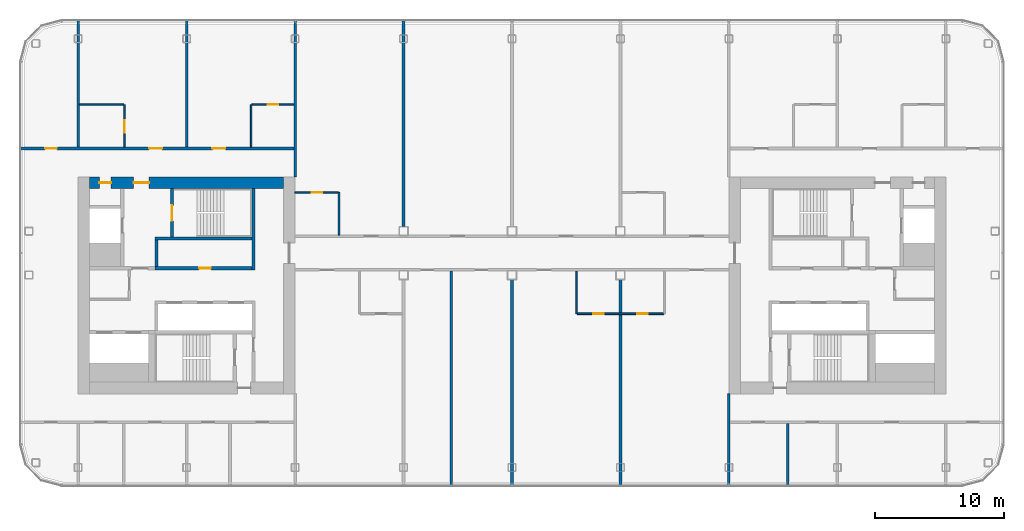
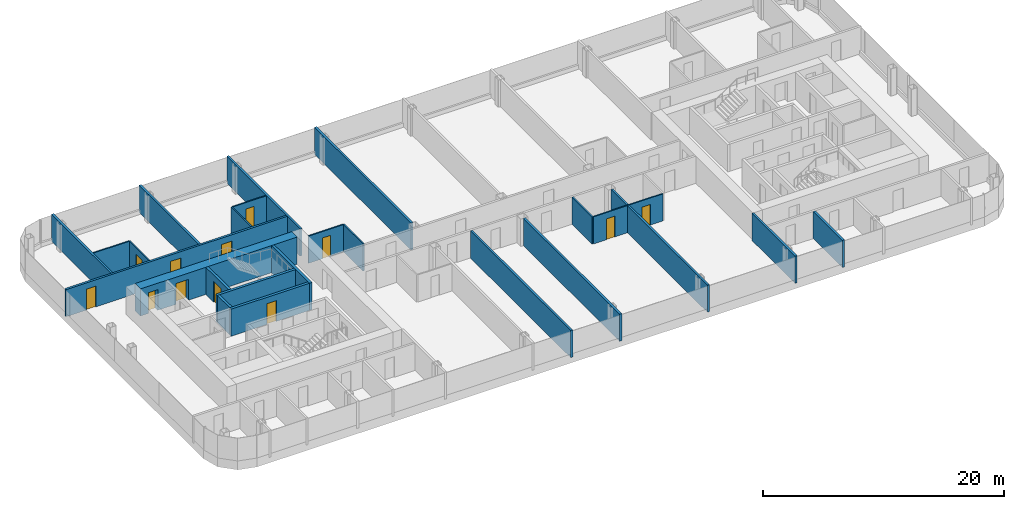
# One storey, part 14 of 25: 24 walls, 12 doors, 12 openings.
"""IFC4 building model written with IfcOpenShell, lengths in metres."""

from ifc_helpers import new_model, si_unit, direction, frame, frame_2d, origin, place, context, subcontext, project, spatial, rectangle, extrude, material, layer, layer_set, type_object, element, fill, save


model = new_model("IFC4")

# Units and contexts
model_context = context("Model", 3, precision=1e-05, world=origin(), true_north=direction((0.0, 1.0)))
body_context = subcontext(model_context, "Body", "Model", "MODEL_VIEW")
ifc_project = project(units=[si_unit("LENGTHUNIT", "METRE"), si_unit("AREAUNIT", "SQUARE_METRE"), si_unit("VOLUMEUNIT", "CUBIC_METRE"), si_unit("PLANEANGLEUNIT", "RADIAN"), si_unit("MASSUNIT", "GRAM", prefix="KILO")], contexts=[model_context])

# Site, building, storey
site_placement = place(None, origin())
site = spatial("IfcSite", under=ifc_project, at=site_placement, CompositionType="ELEMENT")
building_placement = place(site_placement, origin())
building = spatial("IfcBuilding", under=site, at=building_placement, Name="Hakoniwa Tower and Hamabe Station Hall", CompositionType="ELEMENT")
storey_placement = place(building_placement, frame((0.0, 0.0, 202.60009765625)))
storey = spatial("IfcBuildingStorey", under=building, at=storey_placement, Name="L57", CompositionType="ELEMENT", Elevation=202.60009765625)

# Wall, openings, doors
ifc_material_1 = material(Name="Gypsum board partition", Category="gypsum")
ifc_layer_1 = layer(ifc_material_1, 0.125)
ifc_layer_set_1 = layer_set([ifc_layer_1], Name="Bathroom Partition 125")
wall_type_1 = type_object("IfcWallType", Name="Bathroom Partition 125", PredefinedType="PARTITIONING", material=ifc_layer_set_1)
wall_1_placement = place(storey_placement, frame((5.0625, -2.199951171875, 0.0), z_axis=(0.0, 0.0, 1.0), x_axis=(1.0, 0.0, 0.0)))
wall_1 = element("IfcWall", 1, at=wall_1_placement, inside=storey, type_object=wall_type_1, Name="GW-L57-004", PredefinedType="PARTITIONING", context=body_context, shape_type="SweptSolid", body=[
    extrude(rectangle(XDim=6.675048828125, YDim=0.125, at=frame_2d((3.33740234375, 0.0))), origin(), (0.0, 0.0, 1.0), 2.75),
])
opening_1_placement = place(wall_1_placement, frame((1.237548828125, 0.0, 0.0)))
opening_1 = element("IfcOpeningElement", 2, at=opening_1_placement, cuts=wall_1, Name="Opening GD-G4A1-11", PredefinedType="OPENING", context=body_context, shape_type="SweptSolid", body=[
    extrude(rectangle(XDim=0.800048828125, YDim=2.10009765625, at=frame_2d((0.39990234375, 1.050048828125))), frame((0.0, 0.072509765625, 0.0), z_axis=(0.0, -1.0, 0.0), x_axis=(1.0, 0.0, 0.0)), (0.0, 0.0, 1.0), 0.14501953125),
])
opening_2_placement = place(wall_1_placement, frame((4.637451171875, 0.0, 0.0)))
opening_2 = element("IfcOpeningElement", 3, at=opening_2_placement, cuts=wall_1, Name="Opening GD-G4A1-12", PredefinedType="OPENING", context=body_context, shape_type="SweptSolid", body=[
    extrude(rectangle(XDim=0.800048828125, YDim=2.10009765625, at=frame_2d((0.39990234375, 1.050048828125))), frame((0.0, 0.072509765625, 0.0), z_axis=(0.0, -1.0, 0.0), x_axis=(1.0, 0.0, 0.0)), (0.0, 0.0, 1.0), 0.14501953125),
])
ifc_material_2 = material(Name="Timber door leaf", Category="wood")
door_type_1 = type_object("IfcDoorType", Name="Bathroom Door 800", OperationType="SINGLE_SWING_LEFT", PredefinedType="DOOR", material=ifc_material_2)
door_1_placement = place(opening_1_placement, origin())
door_1 = element("IfcDoor", 4, at=door_1_placement, inside=storey, type_object=door_type_1, Name="Door GD-G4A1-11", OperationType="SINGLE_SWING_LEFT", OverallHeight=2.10009765625, OverallWidth=0.800048828125, PredefinedType="DOOR", context=body_context, shape_type="SweptSolid", body=[
    extrude(rectangle(XDim=0.800048828125, YDim=2.10009765625, at=frame_2d((0.39990234375, 1.050048828125))), frame((0.0, 0.02490234375, 0.0), z_axis=(0.0, -1.0, 0.0), x_axis=(1.0, 0.0, 0.0)), (0.0, 0.0, 1.0), 0.050048828125),
])
fill(opening_1, door_1)
door_2_placement = place(opening_2_placement, origin())
door_2 = element("IfcDoor", 5, at=door_2_placement, inside=storey, type_object=door_type_1, Name="Door GD-G4A1-12", OperationType="SINGLE_SWING_RIGHT", OverallHeight=2.10009765625, OverallWidth=0.800048828125, PredefinedType="DOOR", context=body_context, shape_type="SweptSolid", body=[
    extrude(rectangle(XDim=0.800048828125, YDim=2.10009765625, at=frame_2d((0.39990234375, 1.050048828125))), frame((0.0, 0.02490234375, 0.0), z_axis=(0.0, -1.0, 0.0), x_axis=(1.0, 0.0, 0.0)), (0.0, 0.0, 1.0), 0.050048828125),
])
fill(opening_2, door_2)

# Wall, opening, door
wall_2_placement = place(storey_placement, frame((-16.81005859375, 7.199951171875, 0.0), z_axis=(0.0, 0.0, 1.0), x_axis=(1.0, 0.0, 0.0)))
wall_2 = element("IfcWall", 6, at=wall_2_placement, inside=storey, type_object=wall_type_1, Name="GW-L57-007", PredefinedType="PARTITIONING", context=body_context, shape_type="SweptSolid", body=[
    extrude(rectangle(XDim=3.34765625, YDim=0.125, at=frame_2d((1.673828125, 0.0))), origin(), (0.0, 0.0, 1.0), 2.75),
])
opening_3_placement = place(wall_2_placement, frame((1.31005859375, 0.0, 0.0)))
opening_3 = element("IfcOpeningElement", 7, at=opening_3_placement, cuts=wall_2, Name="Opening GD-G4A1-22", PredefinedType="OPENING", context=body_context, shape_type="SweptSolid", body=[
    extrude(rectangle(XDim=0.800048828125, YDim=2.10009765625, at=frame_2d((0.39990234375, 1.050048828125))), frame((0.0, 0.072509765625, 0.0), z_axis=(0.0, -1.0, 0.0), x_axis=(1.0, 0.0, 0.0)), (0.0, 0.0, 1.0), 0.14501953125),
])
door_3_placement = place(opening_3_placement, origin())
door_3 = element("IfcDoor", 8, at=door_3_placement, inside=storey, type_object=door_type_1, Name="Door GD-G4A1-22", OperationType="SINGLE_SWING_RIGHT", OverallHeight=2.10009765625, OverallWidth=0.800048828125, PredefinedType="DOOR", context=body_context, shape_type="SweptSolid", body=[
    extrude(rectangle(XDim=0.800048828125, YDim=2.10009765625, at=frame_2d((0.39990234375, 1.050048828125))), frame((0.0, 0.02490234375, 0.0), z_axis=(0.0, -1.0, 0.0), x_axis=(1.0, 0.0, 0.0)), (0.0, 0.0, 1.0), 0.050048828125),
])
fill(opening_3, door_3)

# Wall
wall_3_placement = place(storey_placement, frame((-33.5, 14.0, 0.0), z_axis=(0.0, 0.0, 1.0), x_axis=(1.0, 0.0, 0.0)))
element("IfcWall", 9, at=wall_3_placement, inside=storey, type_object=wall_type_1, Name="GW-L57-011", PredefinedType="PARTITIONING", context=body_context, shape_type="SweptSolid", body=[
    extrude(rectangle(XDim=3.4375, YDim=0.125, at=frame_2d((1.71875, 0.0))), origin(), (0.0, 0.0, 1.0), 2.75),
])

# Wall, opening, door
wall_4_placement = place(storey_placement, frame((-20.137451171875, 14.0, 0.0), z_axis=(0.0, 0.0, 1.0), x_axis=(1.0, 0.0, 0.0)))
wall_4 = element("IfcWall", 10, at=wall_4_placement, inside=storey, type_object=wall_type_1, Name="GW-L57-012", PredefinedType="PARTITIONING", context=body_context, shape_type="SweptSolid", body=[
    extrude(rectangle(XDim=3.237548828125, YDim=0.125, at=frame_2d((1.61865234375, 0.0))), origin(), (0.0, 0.0, 1.0), 2.75),
])
opening_4_placement = place(wall_4_placement, frame((1.237548828125, 0.0, 0.0)))
opening_4 = element("IfcOpeningElement", 11, at=opening_4_placement, cuts=wall_4, Name="Opening GD-G4A1-30", PredefinedType="OPENING", context=body_context, shape_type="SweptSolid", body=[
    extrude(rectangle(XDim=0.800048828125, YDim=2.10009765625, at=frame_2d((0.39990234375, 1.050048828125))), frame((0.0, 0.072509765625, 0.0), z_axis=(0.0, -1.0, 0.0), x_axis=(1.0, 0.0, 0.0)), (0.0, 0.0, 1.0), 0.14501953125),
])
door_4_placement = place(opening_4_placement, origin())
door_4 = element("IfcDoor", 12, at=door_4_placement, inside=storey, type_object=door_type_1, Name="Door GD-G4A1-30", OperationType="SINGLE_SWING_LEFT", OverallHeight=2.10009765625, OverallWidth=0.800048828125, PredefinedType="DOOR", context=body_context, shape_type="SweptSolid", body=[
    extrude(rectangle(XDim=0.800048828125, YDim=2.10009765625, at=frame_2d((0.39990234375, 1.050048828125))), frame((0.0, 0.02490234375, 0.0), z_axis=(0.0, -1.0, 0.0), x_axis=(1.0, 0.0, 0.0)), (0.0, 0.0, 1.0), 0.050048828125),
])
fill(opening_4, door_4)

wall_5_placement = place(storey_placement, frame((-30.0, 10.699951171875, 0.0), z_axis=(0.0, 0.0, 1.0), x_axis=(0.0, 1.0, 0.0)))
wall_5 = element("IfcWall", 13, at=wall_5_placement, inside=storey, type_object=wall_type_1, Name="GW-L57-018", PredefinedType="PARTITIONING", context=body_context, shape_type="SweptSolid", body=[
    extrude(rectangle(XDim=3.300048828125, YDim=0.125, at=frame_2d((1.64990234375, 0.0))), origin(), (0.0, 0.0, 1.0), 2.75),
])
opening_5_placement = place(wall_5_placement, frame((1.10009765625, 0.0, 0.0)))
opening_5 = element("IfcOpeningElement", 14, at=opening_5_placement, cuts=wall_5, Name="Opening GD-G4A1-33", PredefinedType="OPENING", context=body_context, shape_type="SweptSolid", body=[
    extrude(rectangle(XDim=1.0, YDim=2.10009765625, at=frame_2d((0.5, 1.050048828125))), frame((0.0, 0.072509765625, 0.0), z_axis=(0.0, -1.0, 0.0), x_axis=(1.0, 0.0, 0.0)), (0.0, 0.0, 1.0), 0.14501953125),
])
ifc_material_3 = material(Name="Timber door leaf", Category="wood")
door_type_2 = type_object("IfcDoorType", Name="Accessible Bathroom Door 1000", OperationType="SINGLE_SWING_LEFT", PredefinedType="DOOR", material=ifc_material_3)
door_5_placement = place(opening_5_placement, origin())
door_5 = element("IfcDoor", 15, at=door_5_placement, inside=storey, type_object=door_type_2, Name="Door GD-G4A1-33", OperationType="SINGLE_SWING_LEFT", OverallHeight=2.10009765625, OverallWidth=1.0, PredefinedType="DOOR", context=body_context, shape_type="SweptSolid", body=[
    extrude(rectangle(XDim=1.0, YDim=2.10009765625, at=frame_2d((0.5, 1.050048828125))), frame((0.0, 0.02490234375, 0.0), z_axis=(0.0, -1.0, 0.0), x_axis=(1.0, 0.0, 0.0)), (0.0, 0.0, 1.0), 0.050048828125),
])
fill(opening_5, door_5)

# Walls
for number, where, z_axis, x_axis, name in (
    (16, (-20.199951171875, 10.699951171875, 0.0), (0.0, 0.0, 1.0), (0.0, 1.0, 0.0), "GW-L57-022"),
    (17, (-13.39990234375, 3.89990234375, 0.0), (0.0, 0.0, 1.0), (0.0, 1.0, 0.0), "GW-L57-025"),
    (18, (5.0, -2.199951171875, 0.0), (0.0, 0.0, 1.0), (0.0, 1.0, 0.0), "GW-L57-032"),
):
    element("IfcWall", number, at=place(storey_placement, frame(where, z_axis=z_axis, x_axis=x_axis)), inside=storey, type_object=wall_type_1, Name=name, PredefinedType="PARTITIONING", context=body_context, shape_type="SweptSolid", body=[
        extrude(rectangle(XDim=3.300048828125, YDim=0.125, at=frame_2d((1.64990234375, 0.0))), origin(), (0.0, 0.0, 1.0), 2.75),
    ])

# Wall, openings, doors
ifc_material_4 = material(Name="Concrete C60", Category="concrete")
ifc_layer_2 = layer(ifc_material_4, 0.89990234375)
ifc_layer_set_2 = layer_set([ifc_layer_2], Name="CORE WALL 900 C60")
wall_type_2 = type_object("IfcWallType", Name="CORE WALL 900 C60", PredefinedType="SHEAR", material=ifc_layer_set_2)
wall_6_placement = place(storey_placement, frame((-32.699951171875, 7.949951171875, 0.0), z_axis=(0.0, 0.0, 1.0), x_axis=(1.0, 0.0, 0.0)))
wall_6 = element("IfcWall", 19, at=wall_6_placement, inside=storey, type_object=wall_type_2, Name="Core wall NORTH west", PredefinedType="SHEAR", context=body_context, shape_type="SweptSolid", body=[
    extrude(rectangle(XDim=15.0, YDim=0.89990234375, at=frame_2d((7.5, 0.0))), origin(), (0.0, 0.0, 1.0), 2.75),
])
opening_6_placement = place(wall_6_placement, frame((3.39990234375, 0.0, 0.0)))
opening_6 = element("IfcOpeningElement", 20, at=opening_6_placement, cuts=wall_6, Name="Opening CD-W-FN1-12", PredefinedType="OPENING", context=body_context, shape_type="SweptSolid", body=[
    extrude(rectangle(XDim=1.199951171875, YDim=2.10009765625, at=frame_2d((0.60009765625, 1.050048828125))), frame((0.0, 0.4599609375, 0.0), z_axis=(0.0, -1.0, 0.0), x_axis=(1.0, 0.0, 0.0)), (0.0, 0.0, 1.0), 0.919921875),
])
opening_7_placement = place(wall_6_placement, frame((0.75, 0.0, 0.0)))
opening_7 = element("IfcOpeningElement", 21, at=opening_7_placement, cuts=wall_6, Name="Opening CD-W-FN2-9", PredefinedType="OPENING", context=body_context, shape_type="SweptSolid", body=[
    extrude(rectangle(XDim=0.89990234375, YDim=2.10009765625, at=frame_2d((0.449951171875, 1.050048828125))), frame((0.0, 0.4599609375, 0.0), z_axis=(0.0, -1.0, 0.0), x_axis=(1.0, 0.0, 0.0)), (0.0, 0.0, 1.0), 0.919921875),
])
ifc_material_5 = material(Name="Steel fire door", Category="steel")
door_type_3 = type_object("IfcDoorType", Name="CORE DOOR 1200 FD60", OperationType="DOUBLE_DOOR_SINGLE_SWING", PredefinedType="DOOR", material=ifc_material_5)
door_6_placement = place(opening_6_placement, origin())
door_6 = element("IfcDoor", 22, at=door_6_placement, inside=storey, type_object=door_type_3, Name="Stair vestibule door to the fire-fighting lobby", OperationType="DOUBLE_DOOR_SINGLE_SWING", OverallHeight=2.10009765625, OverallWidth=1.199951171875, PredefinedType="DOOR", context=body_context, shape_type="SweptSolid", body=[
    extrude(rectangle(XDim=1.199951171875, YDim=2.10009765625, at=frame_2d((0.60009765625, 1.050048828125))), frame((0.0, 0.02490234375, 0.0), z_axis=(0.0, -1.0, 0.0), x_axis=(1.0, 0.0, 0.0)), (0.0, 0.0, 1.0), 0.050048828125),
])
fill(opening_6, door_6)
ifc_material_6 = material(Name="Steel fire door", Category="steel")
door_type_4 = type_object("IfcDoorType", Name="CORE DOOR 900 FD30", OperationType="NOTDEFINED", PredefinedType="DOOR", material=ifc_material_6)
door_7_placement = place(opening_7_placement, origin())
door_7 = element("IfcDoor", 23, at=door_7_placement, inside=storey, type_object=door_type_4, Name="Riser access door", OperationType="SINGLE_SWING_LEFT", OverallHeight=2.10009765625, OverallWidth=0.89990234375, PredefinedType="DOOR", context=body_context, shape_type="SweptSolid", body=[
    extrude(rectangle(XDim=0.89990234375, YDim=2.10009765625, at=frame_2d((0.449951171875, 1.050048828125))), frame((0.0, 0.02490234375, 0.0), z_axis=(0.0, -1.0, 0.0), x_axis=(1.0, 0.0, 0.0)), (0.0, 0.0, 1.0), 0.050048828125),
])
fill(opening_7, door_7)

# Wall
ifc_material_7 = material(Name="Concrete C60", Category="concrete")
ifc_layer_3 = layer(ifc_material_7, 0.25)
ifc_layer_set_3 = layer_set([ifc_layer_3], Name="CORE WEB WALL 250 C60")
wall_type_3 = type_object("IfcWallType", Name="CORE WEB WALL 250 C60", PredefinedType="SHEAR", material=ifc_layer_set_3)
wall_7_placement = place(storey_placement, frame((-20.02490234375, 1.199951171875, 0.0), z_axis=(0.0, 0.0, 1.0), x_axis=(0.0, 1.0, 0.0)))
element("IfcWall", 24, at=wall_7_placement, inside=storey, type_object=wall_type_3, Name="Core wall W1N west", PredefinedType="SHEAR", context=body_context, shape_type="SweptSolid", body=[
    extrude(rectangle(XDim=6.300048828125, YDim=0.25, at=frame_2d((3.14990234375, 0.0))), origin(), (0.0, 0.0, 1.0), 2.75),
])

# Wall, opening, door
wall_8_placement = place(storey_placement, frame((-27.64990234375, 1.324951171875, 0.0), z_axis=(0.0, 0.0, 1.0), x_axis=(1.0, 0.0, 0.0)))
wall_8 = element("IfcWall", 25, at=wall_8_placement, inside=storey, type_object=wall_type_3, Name="Core wall NF west", PredefinedType="SHEAR", context=body_context, shape_type="SweptSolid", body=[
    extrude(rectangle(XDim=7.5, YDim=0.25, at=frame_2d((3.75, 0.0))), origin(), (0.0, 0.0, 1.0), 2.75),
])
opening_8_placement = place(wall_8_placement, frame((3.425048828125, 0.0, 0.0)))
opening_8 = element("IfcOpeningElement", 26, at=opening_8_placement, cuts=wall_8, Name="Opening CD-W-FRLR0-9", PredefinedType="OPENING", context=body_context, shape_type="SweptSolid", body=[
    extrude(rectangle(XDim=0.89990234375, YDim=2.10009765625, at=frame_2d((0.449951171875, 1.050048828125))), frame((0.0, 0.135009765625, 0.0), z_axis=(0.0, -1.0, 0.0), x_axis=(1.0, 0.0, 0.0)), (0.0, 0.0, 1.0), 0.27001953125),
])
door_8_placement = place(opening_8_placement, origin())
door_8 = element("IfcDoor", 27, at=door_8_placement, inside=storey, type_object=door_type_4, Name="Store room door", OperationType="SINGLE_SWING_RIGHT", OverallHeight=2.10009765625, OverallWidth=0.89990234375, PredefinedType="DOOR", context=body_context, shape_type="SweptSolid", body=[
    extrude(rectangle(XDim=0.89990234375, YDim=2.10009765625, at=frame_2d((0.449951171875, 1.050048828125))), frame((0.0, 0.02490234375, 0.0), z_axis=(0.0, -1.0, 0.0), x_axis=(1.0, 0.0, 0.0)), (0.0, 0.0, 1.0), 0.050048828125),
])
fill(opening_8, door_8)

# Walls
wall_9_placement = place(storey_placement, frame((-27.52490234375, 1.449951171875, 0.0), z_axis=(0.0, 0.0, 1.0), x_axis=(0.0, 1.0, 0.0)))
element("IfcWall", 28, at=wall_9_placement, inside=storey, type_object=wall_type_3, Name="Core wall NE west", PredefinedType="SHEAR", context=body_context, shape_type="SweptSolid", body=[
    extrude(rectangle(XDim=2.050048828125, YDim=0.25, at=frame_2d((1.02490234375, 0.0))), origin(), (0.0, 0.0, 1.0), 2.75),
])
wall_10_placement = place(storey_placement, frame((-27.64990234375, 3.625, 0.0), z_axis=(0.0, 0.0, 1.0), x_axis=(1.0, 0.0, 0.0)))
element("IfcWall", 29, at=wall_10_placement, inside=storey, type_object=wall_type_3, Name="Core wall NR west", PredefinedType="SHEAR", context=body_context, shape_type="SweptSolid", body=[
    extrude(rectangle(XDim=7.5, YDim=0.25, at=frame_2d((3.75, 0.0))), origin(), (0.0, 0.0, 1.0), 2.75),
])

# Wall, opening, door
wall_11_placement = place(storey_placement, frame((-26.324951171875, 3.75, 0.0), z_axis=(0.0, 0.0, 1.0), x_axis=(0.0, 1.0, 0.0)))
wall_11 = element("IfcWall", 30, at=wall_11_placement, inside=storey, type_object=wall_type_3, Name="Core wall NSE west", PredefinedType="SHEAR", context=body_context, shape_type="SweptSolid", body=[
    extrude(rectangle(XDim=3.75, YDim=0.25, at=frame_2d((1.875, 0.0))), origin(), (0.0, 0.0, 1.0), 2.75),
])
opening_9_placement = place(wall_11_placement, frame((1.25, 0.0, 0.0)))
opening_9 = element("IfcOpeningElement", 31, at=opening_9_placement, cuts=wall_11, Name="Opening CD-W-SN-12", PredefinedType="OPENING", context=body_context, shape_type="SweptSolid", body=[
    extrude(rectangle(XDim=1.199951171875, YDim=2.10009765625, at=frame_2d((0.60009765625, 1.050048828125))), frame((0.0, 0.135009765625, 0.0), z_axis=(0.0, -1.0, 0.0), x_axis=(1.0, 0.0, 0.0)), (0.0, 0.0, 1.0), 0.27001953125),
])
door_9_placement = place(opening_9_placement, origin())
door_9 = element("IfcDoor", 32, at=door_9_placement, inside=storey, type_object=door_type_3, Name="Escape stair door", OperationType="DOUBLE_DOOR_SINGLE_SWING", OverallHeight=2.10009765625, OverallWidth=1.199951171875, PredefinedType="DOOR", context=body_context, shape_type="SweptSolid", body=[
    extrude(rectangle(XDim=1.199951171875, YDim=2.10009765625, at=frame_2d((0.60009765625, 1.050048828125))), frame((0.0, 0.02490234375, 0.0), z_axis=(0.0, -1.0, 0.0), x_axis=(1.0, 0.0, 0.0)), (0.0, 0.0, 1.0), 0.050048828125),
])
fill(opening_9, door_9)

# Wall, openings, doors
ifc_material_8 = material(Name="Fire-rated gypsum board partition", Category="gypsum")
ifc_layer_4 = layer(ifc_material_8, 0.199951171875)
ifc_layer_set_4 = layer_set([ifc_layer_4], Name="Corridor Wall 200")
wall_type_4 = type_object("IfcWallType", Name="Corridor Wall 200", PredefinedType="PARTITIONING", material=ifc_layer_set_4)
wall_12_placement = place(storey_placement, frame((-38.10009765625, 10.60009765625, 0.0), z_axis=(0.0, 0.0, 1.0), x_axis=(1.0, 0.0, 0.0)))
wall_12 = element("IfcWall", 33, at=wall_12_placement, inside=storey, type_object=wall_type_4, Name="GW-L57-009", PredefinedType="PARTITIONING", context=body_context, shape_type="SweptSolid", body=[
    extrude(rectangle(XDim=21.300048828125, YDim=0.199951171875, at=frame_2d((10.64990234375, 0.0))), origin(), (0.0, 0.0, 1.0), 2.75),
])
opening_10_placement = place(wall_12_placement, frame((1.949951171875, 0.0, 0.0)))
opening_10 = element("IfcOpeningElement", 34, at=opening_10_placement, cuts=wall_12, Name="Opening GD-G4A1-24", PredefinedType="OPENING", context=body_context, shape_type="SweptSolid", body=[
    extrude(rectangle(XDim=0.89990234375, YDim=2.10009765625, at=frame_2d((0.449951171875, 1.050048828125))), frame((0.0, 0.10986328125, 0.0), z_axis=(0.0, -1.0, 0.0), x_axis=(1.0, 0.0, 0.0)), (0.0, 0.0, 1.0), 0.219970703125),
])
opening_11_placement = place(wall_12_placement, frame((10.0, 0.0, 0.0)))
opening_11 = element("IfcOpeningElement", 35, at=opening_11_placement, cuts=wall_12, Name="Opening GD-G4A1-25", PredefinedType="OPENING", context=body_context, shape_type="SweptSolid", body=[
    extrude(rectangle(XDim=1.0, YDim=2.10009765625, at=frame_2d((0.5, 1.050048828125))), frame((0.0, 0.10986328125, 0.0), z_axis=(0.0, -1.0, 0.0), x_axis=(1.0, 0.0, 0.0)), (0.0, 0.0, 1.0), 0.219970703125),
])
opening_12_placement = place(wall_12_placement, frame((14.89990234375, 0.0, 0.0)))
opening_12 = element("IfcOpeningElement", 36, at=opening_12_placement, cuts=wall_12, Name="Opening GD-G4A1-26", PredefinedType="OPENING", context=body_context, shape_type="SweptSolid", body=[
    extrude(rectangle(XDim=1.0, YDim=2.10009765625, at=frame_2d((0.5, 1.050048828125))), frame((0.0, 0.10986328125, 0.0), z_axis=(0.0, -1.0, 0.0), x_axis=(1.0, 0.0, 0.0)), (0.0, 0.0, 1.0), 0.219970703125),
])
ifc_material_9 = material(Name="Timber door leaf", Category="wood")
door_type_5 = type_object("IfcDoorType", Name="Accessible Guest Entrance Door 1000", OperationType="SINGLE_SWING_LEFT", PredefinedType="DOOR", material=ifc_material_9)
door_10_placement = place(opening_11_placement, origin())
door_10 = element("IfcDoor", 37, at=door_10_placement, inside=storey, type_object=door_type_5, Name="Door GD-G4A1-25", OperationType="SINGLE_SWING_RIGHT", OverallHeight=2.10009765625, OverallWidth=1.0, PredefinedType="DOOR", context=body_context, shape_type="SweptSolid", body=[
    extrude(rectangle(XDim=1.0, YDim=2.10009765625, at=frame_2d((0.5, 1.050048828125))), frame((0.0, 0.02490234375, 0.0), z_axis=(0.0, -1.0, 0.0), x_axis=(1.0, 0.0, 0.0)), (0.0, 0.0, 1.0), 0.050048828125),
])
fill(opening_11, door_10)
ifc_material_10 = material(Name="Timber door leaf", Category="wood")
door_type_6 = type_object("IfcDoorType", Name="Guest Entrance Door 1000", OperationType="SINGLE_SWING_LEFT", PredefinedType="DOOR", material=ifc_material_10)
door_11_placement = place(opening_12_placement, origin())
door_11 = element("IfcDoor", 38, at=door_11_placement, inside=storey, type_object=door_type_6, Name="Door GD-G4A1-26", OperationType="SINGLE_SWING_LEFT", OverallHeight=2.10009765625, OverallWidth=1.0, PredefinedType="DOOR", context=body_context, shape_type="SweptSolid", body=[
    extrude(rectangle(XDim=1.0, YDim=2.10009765625, at=frame_2d((0.5, 1.050048828125))), frame((0.0, 0.02490234375, 0.0), z_axis=(0.0, -1.0, 0.0), x_axis=(1.0, 0.0, 0.0)), (0.0, 0.0, 1.0), 0.050048828125),
])
fill(opening_12, door_11)
ifc_material_11 = material(Name="Timber door leaf", Category="wood")
door_type_7 = type_object("IfcDoorType", Name="Service Door 900", OperationType="SINGLE_SWING_LEFT", PredefinedType="DOOR", material=ifc_material_11)
door_12_placement = place(opening_10_placement, origin())
door_12 = element("IfcDoor", 39, at=door_12_placement, inside=storey, type_object=door_type_7, Name="Door GD-G4A1-24", OperationType="SINGLE_SWING_LEFT", OverallHeight=2.10009765625, OverallWidth=0.89990234375, PredefinedType="DOOR", context=body_context, shape_type="SweptSolid", body=[
    extrude(rectangle(XDim=0.89990234375, YDim=2.10009765625, at=frame_2d((0.449951171875, 1.050048828125))), frame((0.0, 0.02490234375, 0.0), z_axis=(0.0, -1.0, 0.0), x_axis=(1.0, 0.0, 0.0)), (0.0, 0.0, 1.0), 0.050048828125),
])
fill(opening_10, door_12)

# Walls
ifc_material_12 = material(Name="Fire-rated gypsum board partition", Category="gypsum")
ifc_layer_5 = layer(ifc_material_12, 0.199951171875)
ifc_layer_set_5 = layer_set([ifc_layer_5], Name="Party Wall 200")
wall_type_5 = type_object("IfcWallType", Name="Party Wall 200", PredefinedType="PARTITIONING", material=ifc_layer_set_5)
for number, where, z_axis, x_axis, name in (
    (40, (-33.60009765625, 10.699951171875, 0.0), (0.0, 0.0, 1.0), (0.0, 1.0, 0.0), "GW-L57-016"),
    (41, (-25.199951171875, 10.699951171875, 0.0), (0.0, 0.0, 1.0), (0.0, 1.0, 0.0), "GW-L57-020"),
):
    element("IfcWall", number, at=place(storey_placement, frame(where, z_axis=z_axis, x_axis=x_axis)), inside=storey, type_object=wall_type_5, Name=name, PredefinedType="PARTITIONING", context=body_context, shape_type="SweptSolid", body=[
        extrude(rectangle(XDim=9.85009765625, YDim=0.199951171875, at=frame_2d((4.925048828125, 0.0))), origin(), (0.0, 0.0, 1.0), 2.75),
    ])
wall_13_placement = place(storey_placement, frame((-16.800048828125, 8.389892578125, 0.0), z_axis=(0.0, 0.0, 1.0), x_axis=(0.0, 1.0, 0.0)))
element("IfcWall", 42, at=wall_13_placement, inside=storey, type_object=wall_type_5, Name="GW-L57-024", PredefinedType="PARTITIONING", context=body_context, shape_type="SweptSolid", body=[
    extrude(rectangle(XDim=12.16015625, YDim=0.199951171875, at=frame_2d((6.080078125, 0.0))), origin(), (0.0, 0.0, 1.0), 2.75),
])
wall_14_placement = place(storey_placement, frame((-8.39990234375, 4.5400390625, 0.0), z_axis=(0.0, 0.0, 1.0), x_axis=(0.0, 1.0, 0.0)))
element("IfcWall", 43, at=wall_14_placement, inside=storey, type_object=wall_type_5, Name="GW-L57-028", PredefinedType="PARTITIONING", context=body_context, shape_type="SweptSolid", body=[
    extrude(rectangle(XDim=16.010009765625, YDim=0.199951171875, at=frame_2d((8.0048828125, 0.0))), origin(), (0.0, 0.0, 1.0), 2.75),
])
wall_15_placement = place(storey_placement, frame((-4.699951171875, -15.550048828125, 0.0), z_axis=(0.0, 0.0, 1.0), x_axis=(0.0, 1.0, 0.0)))
element("IfcWall", 44, at=wall_15_placement, inside=storey, type_object=wall_type_5, Name="GW-L57-029", PredefinedType="PARTITIONING", context=body_context, shape_type="SweptSolid", body=[
    extrude(rectangle(XDim=16.650146484375, YDim=0.199951171875, at=frame_2d((8.3251953125, 0.0))), origin(), (0.0, 0.0, 1.0), 2.75),
])
for number, where, z_axis, x_axis, name in (
    (45, (0.0, -15.550048828125, 0.0), (0.0, 0.0, 1.0), (0.0, 1.0, 0.0), "GW-L57-030"),
    (46, (8.39990234375, -15.550048828125, 0.0), (0.0, 0.0, 1.0), (0.0, 1.0, 0.0), "GW-L57-033"),
):
    element("IfcWall", number, at=place(storey_placement, frame(where, z_axis=z_axis, x_axis=x_axis)), inside=storey, type_object=wall_type_5, Name=name, PredefinedType="PARTITIONING", context=body_context, shape_type="SweptSolid", body=[
        extrude(rectangle(XDim=16.010009765625, YDim=0.199951171875, at=frame_2d((8.0048828125, 0.0))), origin(), (0.0, 0.0, 1.0), 2.75),
    ])
wall_16_placement = place(storey_placement, frame((16.800048828125, -15.550048828125, 0.0), z_axis=(0.0, 0.0, 1.0), x_axis=(0.0, 1.0, 0.0)))
element("IfcWall", 47, at=wall_16_placement, inside=storey, type_object=wall_type_5, Name="GW-L57-037", PredefinedType="PARTITIONING", context=body_context, shape_type="SweptSolid", body=[
    extrude(rectangle(XDim=7.16015625, YDim=0.199951171875, at=frame_2d((3.580078125, 0.0))), origin(), (0.0, 0.0, 1.0), 2.75),
])
wall_17_placement = place(storey_placement, frame((21.340087890625, -15.550048828125, 0.0), z_axis=(0.0, 0.0, 1.0), x_axis=(0.0, 1.0, 0.0)))
element("IfcWall", 48, at=wall_17_placement, inside=storey, type_object=wall_type_5, Name="GW-L57-039", PredefinedType="PARTITIONING", context=body_context, shape_type="SweptSolid", body=[
    extrude(rectangle(XDim=4.85009765625, YDim=0.199951171875, at=frame_2d((2.425048828125, 0.0))), origin(), (0.0, 0.0, 1.0), 2.75),
])

save(model, "model.ifc")
